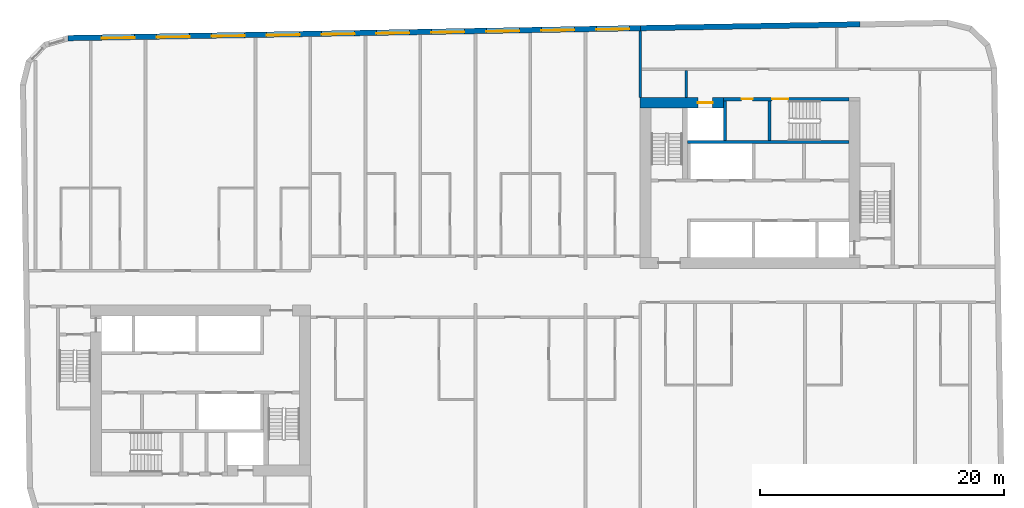
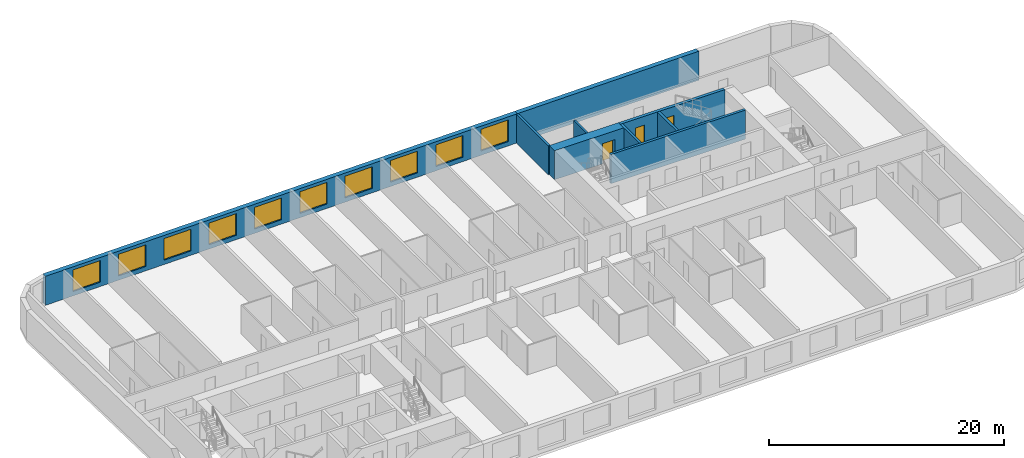
# One storey, part 6 of 11: 10 windows, 9 walls, 3 doors, 13 openings.
"""IFC4 building model written with IfcOpenShell, lengths in metres."""

import ifcopenshell
import ifcopenshell.guid

model = None  # the IFC model being written
_history = None  # IfcOwnerHistory: only IFC2X3 demands one
_inside = {}  # id of a spatial element -> (the spatial element, [elements in it])
_under = {}  # id of a project, library or spatial element -> (it, [spatial elements below it])
_declared = {}  # id of a project -> (the project, [libraries it declares])
_typed = {}  # id of a type object -> (the type object, [elements of that type])
_made_of = {}  # id of a material, layer set ... -> (it, [elements and type objects made of it])


def new_model(schema):
    """Start an empty IFC model of exactly this schema.

    Asked for "IFC4X3", IfcOpenShell would pick the latest addendum, in which some entities
    have other attributes; the version numbers below select the first issue.
    IFC2X3 requires an IfcOwnerHistory on every rooted entity: one is made here for all.
    """
    global model, _history
    if schema == "IFC4X3":
        model = ifcopenshell.file(schema_version=(4, 3, 0, 0))
    else:
        model = ifcopenshell.file(schema=schema)
    _inside.clear()
    _under.clear()
    _declared.clear()
    _typed.clear()
    _made_of.clear()
    _history = None
    if model.schema == "IFC2X3":
        org = make("IfcOrganization", Name="unknown")
        user = make(
            "IfcPersonAndOrganization",
            ThePerson=make("IfcPerson", FamilyName="unknown"),
            TheOrganization=org,
        )
        app = make(
            "IfcApplication",
            ApplicationDeveloper=org,
            Version="unknown",
            ApplicationFullName="unknown",
            ApplicationIdentifier="unknown",
        )
        _history = make(
            "IfcOwnerHistory",
            OwningUser=user,
            OwningApplication=app,
            ChangeAction="ADDED",
            CreationDate=0,
        )
    return model


def make(cls, **values):
    """One entity of the class cls with the attributes given. An attribute that is None is left unset."""
    return model.create_entity(
        cls, **{name: value for name, value in values.items() if value is not None}
    )


def rooted(cls, **values):
    """An entity with a GlobalId (a new one), such as an element, a storey or a relation."""
    return make(cls, GlobalId=ifcopenshell.guid.new(), OwnerHistory=_history, **values)


def si_unit(unit_type, name, prefix=None):
    """IfcSIUnit, for example si_unit("LENGTHUNIT", "METRE", prefix="MILLI")."""
    return make("IfcSIUnit", UnitType=unit_type, Prefix=prefix, Name=name)


def assignment(units):
    """IfcUnitAssignment: the units of a project."""
    return None if units is None else make("IfcUnitAssignment", Units=units)


def point(xyz):
    """IfcCartesianPoint."""
    return None if xyz is None else make("IfcCartesianPoint", Coordinates=xyz)


def direction(xyz):
    """IfcDirection."""
    return None if xyz is None else make("IfcDirection", DirectionRatios=xyz)


def frame(location, z_axis=None, x_axis=None):
    """IfcAxis2Placement3D, a coordinate frame: its origin and axes. An axis left out is left unset."""
    return make(
        "IfcAxis2Placement3D",
        Location=point(location),
        Axis=direction(z_axis),
        RefDirection=direction(x_axis),
    )


def frame_2d(location, x_axis=None):
    """IfcAxis2Placement2D, a coordinate frame in the plane: its origin and x axis."""
    return make(
        "IfcAxis2Placement2D", Location=point(location), RefDirection=direction(x_axis)
    )


def origin():
    """The frame at (0, 0, 0) with its axes left unset."""
    return frame((0.0, 0.0, 0.0))


def place(relative_to, where):
    """IfcLocalPlacement: puts the frame where relative to a parent placement (None: the world)."""
    return make(
        "IfcLocalPlacement", PlacementRelTo=relative_to, RelativePlacement=where
    )


def context(
    kind, dimensions, precision=None, world=None, true_north=None, identifier=None
):
    """IfcGeometricRepresentationContext, for example the 3D "Model" context."""
    return make(
        "IfcGeometricRepresentationContext",
        ContextIdentifier=identifier,
        ContextType=kind,
        CoordinateSpaceDimension=dimensions,
        Precision=precision,
        WorldCoordinateSystem=world,
        TrueNorth=true_north,
    )


def subcontext(parent, identifier, kind, view, scale=None):
    """IfcGeometricRepresentationSubContext, for example "Body" below "Model"."""
    return make(
        "IfcGeometricRepresentationSubContext",
        ContextIdentifier=identifier,
        ContextType=kind,
        ParentContext=parent,
        TargetScale=scale,
        TargetView=view,
    )


def project(units=None, contexts=None):
    """IfcProject with its units and contexts."""
    return rooted(
        "IfcProject",
        Name="project",
        RepresentationContexts=contexts,
        UnitsInContext=assignment(units),
    )


def spatial(cls, under=None, at=None, **own):
    """A site, building, storey or space (cls), placed at a placement, below another one or the project."""
    s = rooted(cls, ObjectPlacement=at, **own)
    if under is not None:
        _under.setdefault(under.id(), (under, []))[1].append(s)
    return s


def profile(cls, at=None, kind="AREA", **sizes):
    """A parametric profile (cls). Its sizes go by their IFC names, for example OverallWidth=200.0."""
    return make(cls, ProfileType=kind, Position=at, **sizes)


def rectangle(**sizes):
    """IfcRectangleProfileDef."""
    return profile("IfcRectangleProfileDef", **sizes)


def extrude(swept, where, along, depth):
    """IfcExtrudedAreaSolid: the profile swept, set in the frame where, extruded along a direction by depth."""
    return make(
        "IfcExtrudedAreaSolid",
        SweptArea=swept,
        Position=where,
        ExtrudedDirection=direction(along),
        Depth=depth,
    )


def shape(context_of_items, identifier, shape_type, items):
    """IfcShapeRepresentation: the items that make up one representation, for example the "Body"."""
    return make(
        "IfcShapeRepresentation",
        ContextOfItems=context_of_items,
        RepresentationIdentifier=identifier,
        RepresentationType=shape_type,
        Items=items,
    )


def material(Name=None, Category=None):
    """IfcMaterial."""
    return make("IfcMaterial", Name=Name, Category=Category)


def layer(
    of_material, thickness, ventilated=None, Name=None, Category=None, Priority=None
):
    """IfcMaterialLayer: one layer of a wall or slab, of a material (None: an air gap)."""
    return make(
        "IfcMaterialLayer",
        Material=of_material,
        LayerThickness=thickness,
        IsVentilated=ventilated,
        Name=Name,
        Category=Category,
        Priority=Priority,
    )


def layer_set(layers, Name=None):
    """IfcMaterialLayerSet."""
    return make("IfcMaterialLayerSet", MaterialLayers=layers, LayerSetName=Name)


def made_of(thing, what):
    """Note that an element or type object is made of a material, layer set ...; save() writes the relation."""
    if what is not None:
        _made_of.setdefault(what.id(), (what, []))[1].append(thing)
    return thing


def type_object(cls, material=None, **own):
    """A type object (cls), such as IfcWallType, which elements share."""
    return made_of(rooted(cls, **own), material)


def element(
    cls,
    number,
    at=None,
    inside=None,
    cuts=None,
    type_object=None,
    material=None,
    context=None,
    identifier="Body",
    shape_type=None,
    held_by="IfcProductDefinitionShape",
    body=None,
    shapes=None,
    **own,
):
    """One element of the class cls, such as IfcWall. Its Tag is "e" and its number.

    at: its placement. inside: the storey or other place that contains it. cuts: it is an
    opening in that element (IfcRelVoidsElement). A single representation is given by context,
    identifier, shape_type and body (its items); several are given by shapes. held_by: the class
    of the entity that holds the representations. save() writes the other relations.
    """
    e = rooted(cls, Tag="e%d" % number, ObjectPlacement=at, **own)
    if body is not None:
        shapes = [shape(context, identifier, shape_type, body)]
    if shapes is not None:
        e.Representation = make(held_by, Representations=shapes)
    if inside is not None:
        _inside.setdefault(inside.id(), (inside, []))[1].append(e)
    if cuts is not None:
        rooted(
            "IfcRelVoidsElement", RelatingBuildingElement=cuts, RelatedOpeningElement=e
        )
    if type_object is not None:
        _typed.setdefault(type_object.id(), (type_object, []))[1].append(e)
    return made_of(e, material)


def fill(opening, filler):
    """IfcRelFillsElement: the door or window that sits in an opening."""
    return rooted(
        "IfcRelFillsElement",
        RelatingOpeningElement=opening,
        RelatedBuildingElement=filler,
    )


def aggregate(whole, parts):
    """IfcRelAggregates: a whole, such as a stair, and the parts it consists of."""
    return rooted("IfcRelAggregates", RelatingObject=whole, RelatedObjects=parts)


def save(model, path):
    """Write the relations noted so far, then the file.

    IfcRelAggregates (storeys below a building ...), IfcRelContainedInSpatialStructure (elements
    in a storey), IfcRelDefinesByType, IfcRelAssociatesMaterial and IfcRelDeclares: one each for
    every whole, place, type object, material and project.
    """
    for whole, parts in _under.values():
        aggregate(whole, parts)
    for where, things in _inside.values():
        rooted(
            "IfcRelContainedInSpatialStructure",
            RelatedElements=things,
            RelatingStructure=where,
        )
    for kind, things in _typed.values():
        rooted("IfcRelDefinesByType", RelatedObjects=things, RelatingType=kind)
    for what, things in _made_of.values():
        rooted("IfcRelAssociatesMaterial", RelatedObjects=things, RelatingMaterial=what)
    for by, libraries in _declared.values():
        rooted("IfcRelDeclares", RelatingContext=by, RelatedDefinitions=libraries)
    model.write(path)


model = new_model("IFC4")

# Units and contexts
model_context = context("Model", 3, precision=1e-05, world=origin(), true_north=direction((0.0, 1.0)))
body_context = subcontext(model_context, "Body", "Model", "MODEL_VIEW")
ifc_project = project(units=[si_unit("LENGTHUNIT", "METRE"), si_unit("AREAUNIT", "SQUARE_METRE"), si_unit("VOLUMEUNIT", "CUBIC_METRE"), si_unit("PLANEANGLEUNIT", "RADIAN"), si_unit("MASSUNIT", "GRAM", prefix="KILO")], contexts=[model_context])

# Site, building, storey
site_placement = place(None, origin())
site = spatial("IfcSite", under=ifc_project, at=site_placement, CompositionType="ELEMENT")
building_placement = place(site_placement, origin())
building = spatial("IfcBuilding", under=site, at=building_placement, Name="Kajstack Hotel Tower", CompositionType="ELEMENT")
storey_placement = place(building_placement, frame((0.0, 0.0, 221.0)))
storey = spatial("IfcBuildingStorey", under=building, at=storey_placement, Name="L53", CompositionType="ELEMENT", Elevation=221.0)

# Wall, opening, door
ifc_material_1 = material(Name="Concrete C60/75", Category="concrete")
ifc_layer_1 = layer(ifc_material_1, 0.89990234375)
ifc_layer_set_1 = layer_set([ifc_layer_1], Name="Core wall 900")
wall_type_1 = type_object("IfcWallType", Name="Core wall 900", PredefinedType="SHEAR", material=ifc_layer_set_1)
wall_1_placement = place(storey_placement, frame((13.5, 15.050048828125, 0.0), z_axis=(0.0, 0.0, 1.0), x_axis=(1.0, 0.0, 0.0)))
wall_1 = element("IfcWall", 1, at=wall_1_placement, inside=storey, type_object=wall_type_1, Name="Core wall E RS", PredefinedType="SHEAR", context=body_context, shape_type="SweptSolid", body=[
    extrude(rectangle(XDim=6.800048828125, YDim=0.89990234375, at=frame_2d((3.39990234375, 0.0))), origin(), (0.0, 0.0, 1.0), 3.02001953125),
])
opening_1_placement = place(wall_1_placement, frame((4.72509765625, 0.0, 0.0)))
opening_1 = element("IfcOpeningElement", 2, at=opening_1_placement, cuts=wall_1, Name="Opening LD-SV2", PredefinedType="OPENING", context=body_context, shape_type="SweptSolid", body=[
    extrude(rectangle(XDim=1.199951171875, YDim=2.10009765625, at=frame_2d((0.60009765625, 1.050048828125))), frame((0.0, 0.4599609375, 0.0), z_axis=(0.0, -1.0, 0.0), x_axis=(1.0, 0.0, 0.0)), (0.0, 0.0, 1.0), 0.919921875),
])
ifc_material_2 = material(Name="Stainless steel", Category="steel")
door_type_1 = type_object("IfcDoorType", Name="Lift landing door 1200", OperationType="SLIDING_TO_LEFT", PredefinedType="DOOR", material=ifc_material_2)
door_1_placement = place(opening_1_placement, origin())
door_1 = element("IfcDoor", 3, at=door_1_placement, inside=storey, type_object=door_type_1, Name="Landing door SV2", OperationType="SLIDING_TO_LEFT", OverallHeight=2.10009765625, OverallWidth=1.199951171875, PredefinedType="DOOR", context=body_context, shape_type="SweptSolid", body=[
    extrude(rectangle(XDim=1.199951171875, YDim=2.10009765625, at=frame_2d((0.60009765625, 1.050048828125))), frame((0.0, 0.02490234375, 0.0), z_axis=(0.0, -1.0, 0.0), x_axis=(1.0, 0.0, 0.0)), (0.0, 0.0, 1.0), 0.050048828125),
])
fill(opening_1, door_1)

# Walls
ifc_material_3 = material(Name="Twin-frame gypsum board on steel studs, mineral wool", Category="steel")
ifc_layer_2 = layer(ifc_material_3, 0.199951171875)
ifc_layer_set_2 = layer_set([ifc_layer_2], Name="Demising wall 200")
wall_type_2 = type_object("IfcWallType", Name="Demising wall 200", PredefinedType="PARTITIONING", material=ifc_layer_set_2)
wall_2_placement = place(storey_placement, frame((13.5, 15.5, 0.0), z_axis=(0.0, 0.0, 1.0), x_axis=(0.0, 1.0, 0.0)))
element("IfcWall", 4, at=wall_2_placement, inside=storey, type_object=wall_type_2, Name="G-wall-L53-001", PredefinedType="PARTITIONING", context=body_context, shape_type="SweptSolid", body=[
    extrude(rectangle(XDim=5.43603515625, YDim=0.199951171875, at=frame_2d((2.718017578125, 0.0))), origin(), (0.0, 0.0, 1.0), 3.02001953125),
])
ifc_material_4 = material(Name="Concrete C40/50", Category="concrete")
ifc_layer_3 = layer(ifc_material_4, 0.449951171875)
ifc_layer_set_3 = layer_set([ifc_layer_3], Name="EW-CORE")
wall_type_3 = type_object("IfcWallType", Name="EW-CORE", PredefinedType="SOLIDWALL", material=ifc_layer_set_3)
wall_3_placement = place(storey_placement, frame((31.50390625, 21.4755859375, 0.0), z_axis=(0.0, 0.0, 1.0), x_axis=(-0.999847677887, -0.017453395744, 0.0)))
element("IfcWall", 5, at=wall_3_placement, inside=storey, type_object=wall_type_3, Name="E-wall-L53-12-01", PredefinedType="SOLIDWALL", context=body_context, shape_type="SweptSolid", body=[
    extrude(rectangle(XDim=18.002685546875, YDim=0.449951171875, at=frame_2d((9.00146484375, 0.0))), origin(), (0.0, 0.0, 1.0), 3.02001953125),
])

# Wall, openings, windows
ifc_material_5 = material(Name="Terracotta-faced brick masonry", Category="masonry")
ifc_layer_4 = layer(ifc_material_5, 0.449951171875)
ifc_layer_set_4 = layer_set([ifc_layer_4], Name="EW-TERRA")
wall_type_4 = type_object("IfcWallType", Name="EW-TERRA", PredefinedType="SOLIDWALL", material=ifc_layer_set_4)
wall_4_placement = place(storey_placement, frame((13.50390625, 21.161376953125, 0.0), z_axis=(0.0, 0.0, 1.0), x_axis=(-0.999847763257, -0.017448504532, 0.0)))
wall_4 = element("IfcWall", 6, at=wall_4_placement, inside=storey, type_object=wall_type_4, Name="E-wall-L53-12-02", PredefinedType="SOLIDWALL", context=body_context, shape_type="SweptSolid", body=[
    extrude(rectangle(XDim=46.859375, YDim=0.449951171875, at=frame_2d((23.4296875, 0.0))), origin(), (0.0, 0.0, 1.0), 3.02001953125),
])
opening_2_placement = place(wall_4_placement, frame((0.900390625, 0.0, 0.449951171875)))
opening_2 = element("IfcOpeningElement", 7, at=opening_2_placement, cuts=wall_4, Name="Opening W1", PredefinedType="OPENING", context=body_context, shape_type="SweptSolid", body=[
    extrude(rectangle(XDim=2.699951171875, YDim=2.25, at=frame_2d((1.35009765625, 1.125))), frame((0.0, 0.23486328125, 0.0), z_axis=(0.0, -1.0, 0.0), x_axis=(1.0, 0.0, 0.0)), (0.0, 0.0, 1.0), 0.469970703125),
])
opening_3_placement = place(wall_4_placement, frame((5.401123046875, 0.0, 0.449951171875)))
opening_3 = element("IfcOpeningElement", 8, at=opening_3_placement, cuts=wall_4, Name="Opening W1", PredefinedType="OPENING", context=body_context, shape_type="SweptSolid", body=[
    extrude(rectangle(XDim=2.699951171875, YDim=2.25, at=frame_2d((1.35009765625, 1.125))), frame((0.0, 0.23486328125, 0.0), z_axis=(0.0, -1.0, 0.0), x_axis=(1.0, 0.0, 0.0)), (0.0, 0.0, 1.0), 0.469970703125),
])
opening_4_placement = place(wall_4_placement, frame((9.90185546875, 0.0, 0.449951171875)))
opening_4 = element("IfcOpeningElement", 9, at=opening_4_placement, cuts=wall_4, Name="Opening W1", PredefinedType="OPENING", context=body_context, shape_type="SweptSolid", body=[
    extrude(rectangle(XDim=2.699951171875, YDim=2.25, at=frame_2d((1.35009765625, 1.125))), frame((0.0, 0.23486328125, 0.0), z_axis=(0.0, -1.0, 0.0), x_axis=(1.0, 0.0, 0.0)), (0.0, 0.0, 1.0), 0.469970703125),
])
opening_5_placement = place(wall_4_placement, frame((14.40234375, 0.0, 0.449951171875)))
opening_5 = element("IfcOpeningElement", 10, at=opening_5_placement, cuts=wall_4, Name="Opening W1", PredefinedType="OPENING", context=body_context, shape_type="SweptSolid", body=[
    extrude(rectangle(XDim=2.699951171875, YDim=2.25, at=frame_2d((1.35009765625, 1.125))), frame((0.0, 0.23486328125, 0.0), z_axis=(0.0, -1.0, 0.0), x_axis=(1.0, 0.0, 0.0)), (0.0, 0.0, 1.0), 0.469970703125),
])
opening_6_placement = place(wall_4_placement, frame((18.9033203125, 0.0, 0.449951171875)))
opening_6 = element("IfcOpeningElement", 11, at=opening_6_placement, cuts=wall_4, Name="Opening W1", PredefinedType="OPENING", context=body_context, shape_type="SweptSolid", body=[
    extrude(rectangle(XDim=2.699951171875, YDim=2.25, at=frame_2d((1.35009765625, 1.125))), frame((0.0, 0.23486328125, 0.0), z_axis=(0.0, -1.0, 0.0), x_axis=(1.0, 0.0, 0.0)), (0.0, 0.0, 1.0), 0.469970703125),
])
opening_7_placement = place(wall_4_placement, frame((23.40380859375, 0.0, 0.449951171875)))
opening_7 = element("IfcOpeningElement", 12, at=opening_7_placement, cuts=wall_4, Name="Opening W1", PredefinedType="OPENING", context=body_context, shape_type="SweptSolid", body=[
    extrude(rectangle(XDim=2.699951171875, YDim=2.25, at=frame_2d((1.35009765625, 1.125))), frame((0.0, 0.23486328125, 0.0), z_axis=(0.0, -1.0, 0.0), x_axis=(1.0, 0.0, 0.0)), (0.0, 0.0, 1.0), 0.469970703125),
])
opening_8_placement = place(wall_4_placement, frame((27.904296875, 0.0, 0.449951171875)))
opening_8 = element("IfcOpeningElement", 13, at=opening_8_placement, cuts=wall_4, Name="Opening W1", PredefinedType="OPENING", context=body_context, shape_type="SweptSolid", body=[
    extrude(rectangle(XDim=2.699951171875, YDim=2.25, at=frame_2d((1.35009765625, 1.125))), frame((0.0, 0.23486328125, 0.0), z_axis=(0.0, -1.0, 0.0), x_axis=(1.0, 0.0, 0.0)), (0.0, 0.0, 1.0), 0.469970703125),
])
opening_9_placement = place(wall_4_placement, frame((32.4052734375, 0.0, 0.449951171875)))
opening_9 = element("IfcOpeningElement", 14, at=opening_9_placement, cuts=wall_4, Name="Opening W1", PredefinedType="OPENING", context=body_context, shape_type="SweptSolid", body=[
    extrude(rectangle(XDim=2.699951171875, YDim=2.25, at=frame_2d((1.35009765625, 1.125))), frame((0.0, 0.23486328125, 0.0), z_axis=(0.0, -1.0, 0.0), x_axis=(1.0, 0.0, 0.0)), (0.0, 0.0, 1.0), 0.469970703125),
])
opening_10_placement = place(wall_4_placement, frame((36.906005859375, 0.0, 0.449951171875)))
opening_10 = element("IfcOpeningElement", 15, at=opening_10_placement, cuts=wall_4, Name="Opening W1", PredefinedType="OPENING", context=body_context, shape_type="SweptSolid", body=[
    extrude(rectangle(XDim=2.699951171875, YDim=2.25, at=frame_2d((1.35009765625, 1.125))), frame((0.0, 0.23486328125, 0.0), z_axis=(0.0, -1.0, 0.0), x_axis=(1.0, 0.0, 0.0)), (0.0, 0.0, 1.0), 0.469970703125),
])
opening_11_placement = place(wall_4_placement, frame((41.406494140625, 0.0, 0.449951171875)))
opening_11 = element("IfcOpeningElement", 16, at=opening_11_placement, cuts=wall_4, Name="Opening W1", PredefinedType="OPENING", context=body_context, shape_type="SweptSolid", body=[
    extrude(rectangle(XDim=2.699951171875, YDim=2.25, at=frame_2d((1.35009765625, 1.125))), frame((0.0, 0.23486328125, 0.0), z_axis=(0.0, -1.0, 0.0), x_axis=(1.0, 0.0, 0.0)), (0.0, 0.0, 1.0), 0.469970703125),
])
ifc_material_6 = material(Name="Timber-aluminium window, triple glazed", Category="wood")
window_type = type_object("IfcWindowType", Name="WG1", PartitioningType="SINGLE_PANEL", PredefinedType="WINDOW", material=ifc_material_6)
window_1_placement = place(opening_2_placement, origin())
window_1 = element("IfcWindow", 17, at=window_1_placement, inside=storey, type_object=window_type, Name="Window W1 L53-12", OverallHeight=2.25, OverallWidth=2.699951171875, PartitioningType="SINGLE_PANEL", PredefinedType="WINDOW", context=body_context, shape_type="SweptSolid", body=[
    extrude(rectangle(XDim=2.699951171875, YDim=2.25, at=frame_2d((1.35009765625, 1.125))), frame((0.0, 0.090087890625, 0.0), z_axis=(0.0, -1.0, 0.0), x_axis=(1.0, 0.0, 0.0)), (0.0, 0.0, 1.0), 0.06005859375),
])
fill(opening_2, window_1)
window_2_placement = place(opening_3_placement, origin())
window_2 = element("IfcWindow", 18, at=window_2_placement, inside=storey, type_object=window_type, Name="Window W1 L53-12", OverallHeight=2.25, OverallWidth=2.699951171875, PartitioningType="SINGLE_PANEL", PredefinedType="WINDOW", context=body_context, shape_type="SweptSolid", body=[
    extrude(rectangle(XDim=2.699951171875, YDim=2.25, at=frame_2d((1.35009765625, 1.125))), frame((0.0, 0.090087890625, 0.0), z_axis=(0.0, -1.0, 0.0), x_axis=(1.0, 0.0, 0.0)), (0.0, 0.0, 1.0), 0.06005859375),
])
fill(opening_3, window_2)
window_3_placement = place(opening_4_placement, origin())
window_3 = element("IfcWindow", 19, at=window_3_placement, inside=storey, type_object=window_type, Name="Window W1 L53-12", OverallHeight=2.25, OverallWidth=2.699951171875, PartitioningType="SINGLE_PANEL", PredefinedType="WINDOW", context=body_context, shape_type="SweptSolid", body=[
    extrude(rectangle(XDim=2.699951171875, YDim=2.25, at=frame_2d((1.35009765625, 1.125))), frame((0.0, 0.090087890625, 0.0), z_axis=(0.0, -1.0, 0.0), x_axis=(1.0, 0.0, 0.0)), (0.0, 0.0, 1.0), 0.06005859375),
])
fill(opening_4, window_3)
window_4_placement = place(opening_5_placement, origin())
window_4 = element("IfcWindow", 20, at=window_4_placement, inside=storey, type_object=window_type, Name="Window W1 L53-12", OverallHeight=2.25, OverallWidth=2.699951171875, PartitioningType="SINGLE_PANEL", PredefinedType="WINDOW", context=body_context, shape_type="SweptSolid", body=[
    extrude(rectangle(XDim=2.699951171875, YDim=2.25, at=frame_2d((1.35009765625, 1.125))), frame((0.0, 0.090087890625, 0.0), z_axis=(0.0, -1.0, 0.0), x_axis=(1.0, 0.0, 0.0)), (0.0, 0.0, 1.0), 0.06005859375),
])
fill(opening_5, window_4)
window_5_placement = place(opening_6_placement, origin())
window_5 = element("IfcWindow", 21, at=window_5_placement, inside=storey, type_object=window_type, Name="Window W1 L53-12", OverallHeight=2.25, OverallWidth=2.699951171875, PartitioningType="SINGLE_PANEL", PredefinedType="WINDOW", context=body_context, shape_type="SweptSolid", body=[
    extrude(rectangle(XDim=2.699951171875, YDim=2.25, at=frame_2d((1.35009765625, 1.125))), frame((0.0, 0.090087890625, 0.0), z_axis=(0.0, -1.0, 0.0), x_axis=(1.0, 0.0, 0.0)), (0.0, 0.0, 1.0), 0.06005859375),
])
fill(opening_6, window_5)
window_6_placement = place(opening_7_placement, origin())
window_6 = element("IfcWindow", 22, at=window_6_placement, inside=storey, type_object=window_type, Name="Window W1 L53-12", OverallHeight=2.25, OverallWidth=2.699951171875, PartitioningType="SINGLE_PANEL", PredefinedType="WINDOW", context=body_context, shape_type="SweptSolid", body=[
    extrude(rectangle(XDim=2.699951171875, YDim=2.25, at=frame_2d((1.35009765625, 1.125))), frame((0.0, 0.090087890625, 0.0), z_axis=(0.0, -1.0, 0.0), x_axis=(1.0, 0.0, 0.0)), (0.0, 0.0, 1.0), 0.06005859375),
])
fill(opening_7, window_6)
window_7_placement = place(opening_8_placement, origin())
window_7 = element("IfcWindow", 23, at=window_7_placement, inside=storey, type_object=window_type, Name="Window W1 L53-12", OverallHeight=2.25, OverallWidth=2.699951171875, PartitioningType="SINGLE_PANEL", PredefinedType="WINDOW", context=body_context, shape_type="SweptSolid", body=[
    extrude(rectangle(XDim=2.699951171875, YDim=2.25, at=frame_2d((1.35009765625, 1.125))), frame((0.0, 0.090087890625, 0.0), z_axis=(0.0, -1.0, 0.0), x_axis=(1.0, 0.0, 0.0)), (0.0, 0.0, 1.0), 0.06005859375),
])
fill(opening_8, window_7)
window_8_placement = place(opening_9_placement, origin())
window_8 = element("IfcWindow", 24, at=window_8_placement, inside=storey, type_object=window_type, Name="Window W1 L53-12", OverallHeight=2.25, OverallWidth=2.699951171875, PartitioningType="SINGLE_PANEL", PredefinedType="WINDOW", context=body_context, shape_type="SweptSolid", body=[
    extrude(rectangle(XDim=2.699951171875, YDim=2.25, at=frame_2d((1.35009765625, 1.125))), frame((0.0, 0.090087890625, 0.0), z_axis=(0.0, -1.0, 0.0), x_axis=(1.0, 0.0, 0.0)), (0.0, 0.0, 1.0), 0.06005859375),
])
fill(opening_9, window_8)
window_9_placement = place(opening_10_placement, origin())
window_9 = element("IfcWindow", 25, at=window_9_placement, inside=storey, type_object=window_type, Name="Window W1 L53-12", OverallHeight=2.25, OverallWidth=2.699951171875, PartitioningType="SINGLE_PANEL", PredefinedType="WINDOW", context=body_context, shape_type="SweptSolid", body=[
    extrude(rectangle(XDim=2.699951171875, YDim=2.25, at=frame_2d((1.35009765625, 1.125))), frame((0.0, 0.090087890625, 0.0), z_axis=(0.0, -1.0, 0.0), x_axis=(1.0, 0.0, 0.0)), (0.0, 0.0, 1.0), 0.06005859375),
])
fill(opening_10, window_9)
window_10_placement = place(opening_11_placement, origin())
window_10 = element("IfcWindow", 26, at=window_10_placement, inside=storey, type_object=window_type, Name="Window W1 L53-12", OverallHeight=2.25, OverallWidth=2.699951171875, PartitioningType="SINGLE_PANEL", PredefinedType="WINDOW", context=body_context, shape_type="SweptSolid", body=[
    extrude(rectangle(XDim=2.699951171875, YDim=2.25, at=frame_2d((1.35009765625, 1.125))), frame((0.0, 0.090087890625, 0.0), z_axis=(0.0, -1.0, 0.0), x_axis=(1.0, 0.0, 0.0)), (0.0, 0.0, 1.0), 0.06005859375),
])
fill(opening_11, window_10)

# Wall
ifc_material_7 = material(Name="Gypsum board on steel studs, mineral wool", Category="steel")
ifc_layer_5 = layer(ifc_material_7, 0.199951171875)
ifc_layer_set_5 = layer_set([ifc_layer_5], Name="Service partition 200")
wall_type_5 = type_object("IfcWallType", Name="Service partition 200", PredefinedType="PARTITIONING", material=ifc_layer_set_5)
wall_5_placement = place(storey_placement, frame((17.25, 15.5, 0.0), z_axis=(0.0, 0.0, 1.0), x_axis=(0.0, 1.0, 0.0)))
element("IfcWall", 27, at=wall_5_placement, inside=storey, type_object=wall_type_5, Name="Partition E SCE", PredefinedType="PARTITIONING", context=body_context, shape_type="SweptSolid", body=[
    extrude(rectangle(XDim=2.199951171875, YDim=0.199951171875, at=frame_2d((1.10009765625, 0.0))), origin(), (0.0, 0.0, 1.0), 3.02001953125),
])

# Wall, openings, doors
ifc_material_8 = material(Name="Concrete C50/60", Category="concrete")
ifc_layer_6 = layer(ifc_material_8, 0.25)
ifc_layer_set_6 = layer_set([ifc_layer_6], Name="Shaft wall 250")
wall_type_6 = type_object("IfcWallType", Name="Shaft wall 250", PredefinedType="SHEAR", material=ifc_layer_set_6)
wall_6_placement = place(storey_placement, frame((20.300048828125, 15.35009765625, 0.0), z_axis=(0.0, 0.0, 1.0), x_axis=(1.0, 0.0, 0.0)))
wall_6 = element("IfcWall", 28, at=wall_6_placement, inside=storey, type_object=wall_type_6, Name="Core wall E RSS", PredefinedType="SHEAR", context=body_context, shape_type="SweptSolid", body=[
    extrude(rectangle(XDim=10.300048828125, YDim=0.300048828125, at=frame_2d((5.14990234375, 0.0))), origin(), (0.0, 0.0, 1.0), 3.02001953125),
])
opening_12_placement = place(wall_6_placement, frame((4.0, 0.0, 0.0)))
opening_12 = element("IfcOpeningElement", 29, at=opening_12_placement, cuts=wall_6, Name="Opening 53E12", PredefinedType="OPENING", context=body_context, shape_type="SweptSolid", body=[
    extrude(rectangle(XDim=1.300048828125, YDim=2.10009765625, at=frame_2d((0.64990234375, 1.050048828125))), frame((0.0, 0.159912109375, 0.0), z_axis=(0.0, -1.0, 0.0), x_axis=(1.0, 0.0, 0.0)), (0.0, 0.0, 1.0), 0.320068359375),
])
opening_13_placement = place(wall_6_placement, frame((1.5, 0.0, 0.0)))
opening_13 = element("IfcOpeningElement", 30, at=opening_13_placement, cuts=wall_6, Name="Opening 53E13", PredefinedType="OPENING", context=body_context, shape_type="SweptSolid", body=[
    extrude(rectangle(XDim=0.89990234375, YDim=2.10009765625, at=frame_2d((0.449951171875, 1.050048828125))), frame((0.0, 0.159912109375, 0.0), z_axis=(0.0, -1.0, 0.0), x_axis=(1.0, 0.0, 0.0)), (0.0, 0.0, 1.0), 0.320068359375),
])
ifc_material_9 = material(Name="Timber leaf, fire-rated", Category="wood")
door_type_2 = type_object("IfcDoorType", Name="Service door 900", OperationType="SINGLE_SWING_LEFT", PredefinedType="DOOR", material=ifc_material_9)
door_2_placement = place(opening_13_placement, origin())
door_2 = element("IfcDoor", 31, at=door_2_placement, inside=storey, type_object=door_type_2, Name="Door 53E13", OperationType="SINGLE_SWING_RIGHT", OverallHeight=2.10009765625, OverallWidth=0.89990234375, PredefinedType="DOOR", context=body_context, shape_type="SweptSolid", body=[
    extrude(rectangle(XDim=0.89990234375, YDim=2.10009765625, at=frame_2d((0.449951171875, 1.050048828125))), frame((0.0, 0.02490234375, 0.0), z_axis=(0.0, -1.0, 0.0), x_axis=(1.0, 0.0, 0.0)), (0.0, 0.0, 1.0), 0.050048828125),
])
fill(opening_13, door_2)
ifc_material_10 = material(Name="Steel leaf, fire-rated", Category="steel")
door_type_3 = type_object("IfcDoorType", Name="Stair door 1300", OperationType="SINGLE_SWING_LEFT", PredefinedType="DOOR", material=ifc_material_10)
door_3_placement = place(opening_12_placement, origin())
door_3 = element("IfcDoor", 32, at=door_3_placement, inside=storey, type_object=door_type_3, Name="Door 53E12", OperationType="SINGLE_SWING_LEFT", OverallHeight=2.10009765625, OverallWidth=1.300048828125, PredefinedType="DOOR", context=body_context, shape_type="SweptSolid", body=[
    extrude(rectangle(XDim=1.300048828125, YDim=2.10009765625, at=frame_2d((0.64990234375, 1.050048828125))), frame((0.0, 0.02490234375, 0.0), z_axis=(0.0, -1.0, 0.0), x_axis=(1.0, 0.0, 0.0)), (0.0, 0.0, 1.0), 0.050048828125),
])
fill(opening_12, door_3)

# Walls
wall_7_placement = place(storey_placement, frame((17.35009765625, 11.824951171875, 0.0), z_axis=(0.0, 0.0, 1.0), x_axis=(1.0, 0.0, 0.0)))
element("IfcWall", 33, at=wall_7_placement, inside=storey, type_object=wall_type_6, Name="Core wall E RB", PredefinedType="SHEAR", context=body_context, shape_type="SweptSolid", body=[
    extrude(rectangle(XDim=13.25, YDim=0.25, at=frame_2d((6.625, 0.0))), origin(), (0.0, 0.0, 1.0), 3.02001953125),
])
wall_8_placement = place(storey_placement, frame((20.425048828125, 11.949951171875, 0.0), z_axis=(0.0, 0.0, 1.0), x_axis=(0.0, 1.0, 0.0)))
element("IfcWall", 34, at=wall_8_placement, inside=storey, type_object=wall_type_6, Name="Core wall E SVW", PredefinedType="SHEAR", context=body_context, shape_type="SweptSolid", body=[
    extrude(rectangle(XDim=3.25, YDim=0.25, at=frame_2d((1.625, 0.0))), origin(), (0.0, 0.0, 1.0), 3.02001953125),
])
ifc_layer_7 = layer(ifc_material_8, 0.35009765625)
ifc_layer_set_7 = layer_set([ifc_layer_7], Name="Stair enclosure wall 350")
wall_type_7 = type_object("IfcWallType", Name="Stair enclosure wall 350", PredefinedType="SHEAR", material=ifc_layer_set_7)
wall_9_placement = place(storey_placement, frame((24.074951171875, 11.949951171875, 0.0), z_axis=(0.0, 0.0, 1.0), x_axis=(0.0, 1.0, 0.0)))
element("IfcWall", 35, at=wall_9_placement, inside=storey, type_object=wall_type_7, Name="Core wall E W3E", PredefinedType="SHEAR", context=body_context, shape_type="SweptSolid", body=[
    extrude(rectangle(XDim=3.25, YDim=0.25, at=frame_2d((1.625, 0.0))), origin(), (0.0, 0.0, 1.0), 3.02001953125),
])

save(model, "model.ifc")
